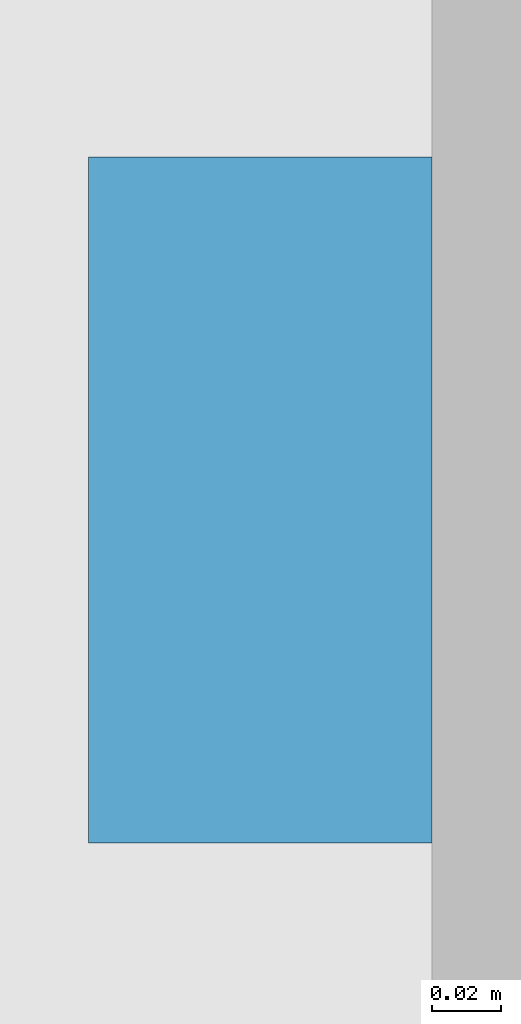
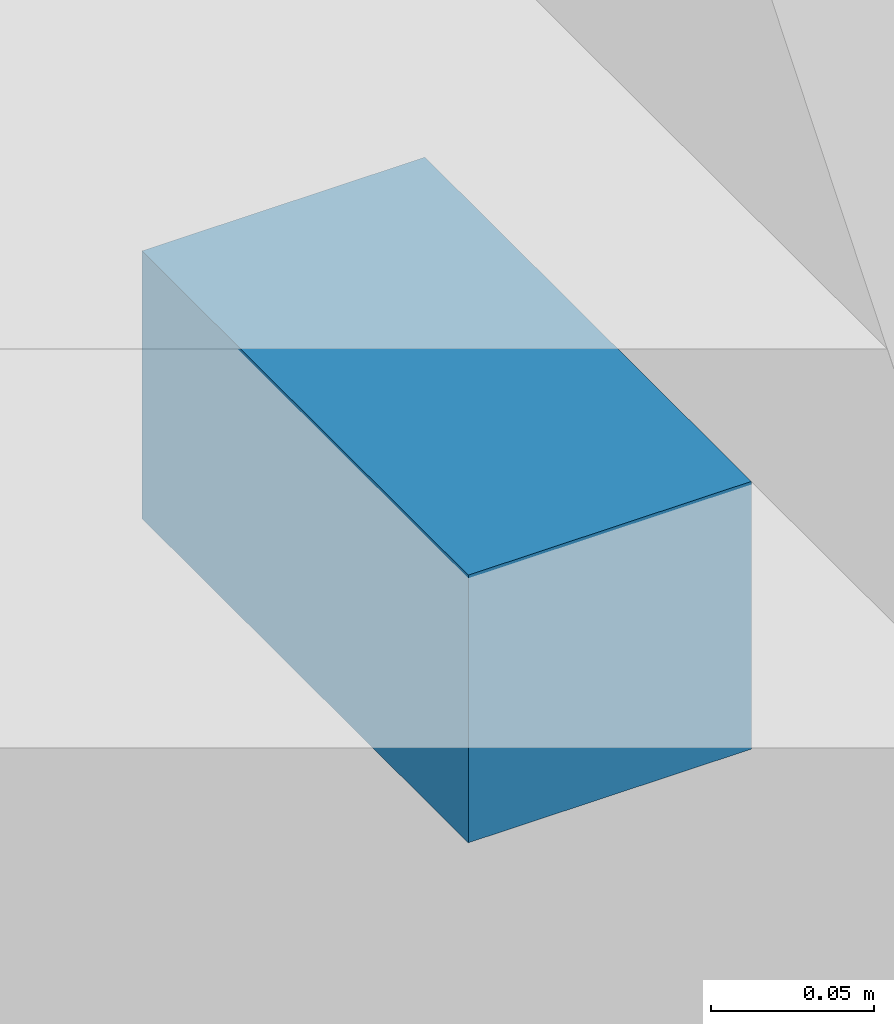
# One storey, part 15 of 17: 1 discrete accessory.
"""IFC4 building model written with IfcOpenShell, lengths in metres."""

import ifcopenshell
import ifcopenshell.guid

model = None  # the IFC model being written
_history = None  # IfcOwnerHistory: only IFC2X3 demands one
_inside = {}  # id of a spatial element -> (the spatial element, [elements in it])
_under = {}  # id of a project, library or spatial element -> (it, [spatial elements below it])
_declared = {}  # id of a project -> (the project, [libraries it declares])
_typed = {}  # id of a type object -> (the type object, [elements of that type])
_made_of = {}  # id of a material, layer set ... -> (it, [elements and type objects made of it])


def new_model(schema):
    """Start an empty IFC model of exactly this schema.

    Asked for "IFC4X3", IfcOpenShell would pick the latest addendum, in which some entities
    have other attributes; the version numbers below select the first issue.
    IFC2X3 requires an IfcOwnerHistory on every rooted entity: one is made here for all.
    """
    global model, _history
    if schema == "IFC4X3":
        model = ifcopenshell.file(schema_version=(4, 3, 0, 0))
    else:
        model = ifcopenshell.file(schema=schema)
    _inside.clear()
    _under.clear()
    _declared.clear()
    _typed.clear()
    _made_of.clear()
    _history = None
    if model.schema == "IFC2X3":
        org = make("IfcOrganization", Name="unknown")
        user = make(
            "IfcPersonAndOrganization",
            ThePerson=make("IfcPerson", FamilyName="unknown"),
            TheOrganization=org,
        )
        app = make(
            "IfcApplication",
            ApplicationDeveloper=org,
            Version="unknown",
            ApplicationFullName="unknown",
            ApplicationIdentifier="unknown",
        )
        _history = make(
            "IfcOwnerHistory",
            OwningUser=user,
            OwningApplication=app,
            ChangeAction="ADDED",
            CreationDate=0,
        )
    return model


def make(cls, **values):
    """One entity of the class cls with the attributes given. An attribute that is None is left unset."""
    return model.create_entity(
        cls, **{name: value for name, value in values.items() if value is not None}
    )


def rooted(cls, **values):
    """An entity with a GlobalId (a new one), such as an element, a storey or a relation."""
    return make(cls, GlobalId=ifcopenshell.guid.new(), OwnerHistory=_history, **values)


def si_unit(unit_type, name, prefix=None):
    """IfcSIUnit, for example si_unit("LENGTHUNIT", "METRE", prefix="MILLI")."""
    return make("IfcSIUnit", UnitType=unit_type, Prefix=prefix, Name=name)


def assignment(units):
    """IfcUnitAssignment: the units of a project."""
    return None if units is None else make("IfcUnitAssignment", Units=units)


def point(xyz):
    """IfcCartesianPoint."""
    return None if xyz is None else make("IfcCartesianPoint", Coordinates=xyz)


def direction(xyz):
    """IfcDirection."""
    return None if xyz is None else make("IfcDirection", DirectionRatios=xyz)


def frame(location, z_axis=None, x_axis=None):
    """IfcAxis2Placement3D, a coordinate frame: its origin and axes. An axis left out is left unset."""
    return make(
        "IfcAxis2Placement3D",
        Location=point(location),
        Axis=direction(z_axis),
        RefDirection=direction(x_axis),
    )


def frame_2d(location, x_axis=None):
    """IfcAxis2Placement2D, a coordinate frame in the plane: its origin and x axis."""
    return make(
        "IfcAxis2Placement2D", Location=point(location), RefDirection=direction(x_axis)
    )


def origin():
    """The frame at (0, 0, 0) with its axes left unset."""
    return frame((0.0, 0.0, 0.0))


def origin_2d():
    """The frame at (0, 0) in the plane with its x axis left unset."""
    return frame_2d((0.0, 0.0))


def place(relative_to, where):
    """IfcLocalPlacement: puts the frame where relative to a parent placement (None: the world)."""
    return make(
        "IfcLocalPlacement", PlacementRelTo=relative_to, RelativePlacement=where
    )


def context(
    kind, dimensions, precision=None, world=None, true_north=None, identifier=None
):
    """IfcGeometricRepresentationContext, for example the 3D "Model" context."""
    return make(
        "IfcGeometricRepresentationContext",
        ContextIdentifier=identifier,
        ContextType=kind,
        CoordinateSpaceDimension=dimensions,
        Precision=precision,
        WorldCoordinateSystem=world,
        TrueNorth=true_north,
    )


def subcontext(parent, identifier, kind, view, scale=None):
    """IfcGeometricRepresentationSubContext, for example "Body" below "Model"."""
    return make(
        "IfcGeometricRepresentationSubContext",
        ContextIdentifier=identifier,
        ContextType=kind,
        ParentContext=parent,
        TargetScale=scale,
        TargetView=view,
    )


def project(units=None, contexts=None):
    """IfcProject with its units and contexts."""
    return rooted(
        "IfcProject",
        Name="project",
        RepresentationContexts=contexts,
        UnitsInContext=assignment(units),
    )


def spatial(cls, under=None, at=None, **own):
    """A site, building, storey or space (cls), placed at a placement, below another one or the project."""
    s = rooted(cls, ObjectPlacement=at, **own)
    if under is not None:
        _under.setdefault(under.id(), (under, []))[1].append(s)
    return s


def profile(cls, at=None, kind="AREA", **sizes):
    """A parametric profile (cls). Its sizes go by their IFC names, for example OverallWidth=200.0."""
    return make(cls, ProfileType=kind, Position=at, **sizes)


def rectangle(**sizes):
    """IfcRectangleProfileDef."""
    return profile("IfcRectangleProfileDef", **sizes)


def extrude(swept, where, along, depth):
    """IfcExtrudedAreaSolid: the profile swept, set in the frame where, extruded along a direction by depth."""
    return make(
        "IfcExtrudedAreaSolid",
        SweptArea=swept,
        Position=where,
        ExtrudedDirection=direction(along),
        Depth=depth,
    )


def shape(context_of_items, identifier, shape_type, items):
    """IfcShapeRepresentation: the items that make up one representation, for example the "Body"."""
    return make(
        "IfcShapeRepresentation",
        ContextOfItems=context_of_items,
        RepresentationIdentifier=identifier,
        RepresentationType=shape_type,
        Items=items,
    )


def made_of(thing, what):
    """Note that an element or type object is made of a material, layer set ...; save() writes the relation."""
    if what is not None:
        _made_of.setdefault(what.id(), (what, []))[1].append(thing)
    return thing


def element(
    cls,
    number,
    at=None,
    inside=None,
    cuts=None,
    type_object=None,
    material=None,
    context=None,
    identifier="Body",
    shape_type=None,
    held_by="IfcProductDefinitionShape",
    body=None,
    shapes=None,
    **own,
):
    """One element of the class cls, such as IfcWall. Its Tag is "e" and its number.

    at: its placement. inside: the storey or other place that contains it. cuts: it is an
    opening in that element (IfcRelVoidsElement). A single representation is given by context,
    identifier, shape_type and body (its items); several are given by shapes. held_by: the class
    of the entity that holds the representations. save() writes the other relations.
    """
    e = rooted(cls, Tag="e%d" % number, ObjectPlacement=at, **own)
    if body is not None:
        shapes = [shape(context, identifier, shape_type, body)]
    if shapes is not None:
        e.Representation = make(held_by, Representations=shapes)
    if inside is not None:
        _inside.setdefault(inside.id(), (inside, []))[1].append(e)
    if cuts is not None:
        rooted(
            "IfcRelVoidsElement", RelatingBuildingElement=cuts, RelatedOpeningElement=e
        )
    if type_object is not None:
        _typed.setdefault(type_object.id(), (type_object, []))[1].append(e)
    return made_of(e, material)


def aggregate(whole, parts):
    """IfcRelAggregates: a whole, such as a stair, and the parts it consists of."""
    return rooted("IfcRelAggregates", RelatingObject=whole, RelatedObjects=parts)


def save(model, path):
    """Write the relations noted so far, then the file.

    IfcRelAggregates (storeys below a building ...), IfcRelContainedInSpatialStructure (elements
    in a storey), IfcRelDefinesByType, IfcRelAssociatesMaterial and IfcRelDeclares: one each for
    every whole, place, type object, material and project.
    """
    for whole, parts in _under.values():
        aggregate(whole, parts)
    for where, things in _inside.values():
        rooted(
            "IfcRelContainedInSpatialStructure",
            RelatedElements=things,
            RelatingStructure=where,
        )
    for kind, things in _typed.values():
        rooted("IfcRelDefinesByType", RelatedObjects=things, RelatingType=kind)
    for what, things in _made_of.values():
        rooted("IfcRelAssociatesMaterial", RelatedObjects=things, RelatingMaterial=what)
    for by, libraries in _declared.values():
        rooted("IfcRelDeclares", RelatingContext=by, RelatedDefinitions=libraries)
    model.write(path)


model = new_model("IFC4")

# Units and contexts
model_context = context("Model", 3, precision=1e-05, world=origin(), true_north=direction((0.0, 1.0)))
body_context = subcontext(model_context, "Body", "Model", "MODEL_VIEW")
ifc_project = project(units=[si_unit("LENGTHUNIT", "METRE"), si_unit("AREAUNIT", "SQUARE_METRE"), si_unit("VOLUMEUNIT", "CUBIC_METRE"), si_unit("PLANEANGLEUNIT", "RADIAN"), si_unit("MASSUNIT", "GRAM", prefix="KILO")], contexts=[model_context])

# Site, building, storey
site_placement = place(None, origin())
site = spatial("IfcSite", under=ifc_project, at=site_placement, CompositionType="ELEMENT")
building_placement = place(site_placement, origin())
building = spatial("IfcBuilding", under=site, at=building_placement, Name="Calvaro Tower", CompositionType="ELEMENT")
storey_placement = place(building_placement, frame((0.0, 0.0, 189.25)))
storey = spatial("IfcBuildingStorey", under=building, at=storey_placement, Name="L47", CompositionType="ELEMENT", Elevation=189.25)

# Discrete accessory
discrete_accessory_placement = place(storey_placement, frame((65.5, 3.60009765625, 2.349853515625), z_axis=(0.0, 0.0, 1.0), x_axis=(1.0, 0.0, 0.0)))
element("IfcDiscreteAccessory", 1, at=discrete_accessory_placement, inside=storey, Name="Brise-soleil bracket", PredefinedType="BRACKET", context=body_context, shape_type="SweptSolid", body=[
    extrude(rectangle(XDim=0.10009765625, YDim=0.199951171875, at=origin_2d()), origin(), (0.0, 0.0, 1.0), 0.10009765625),
])

save(model, "model.ifc")
